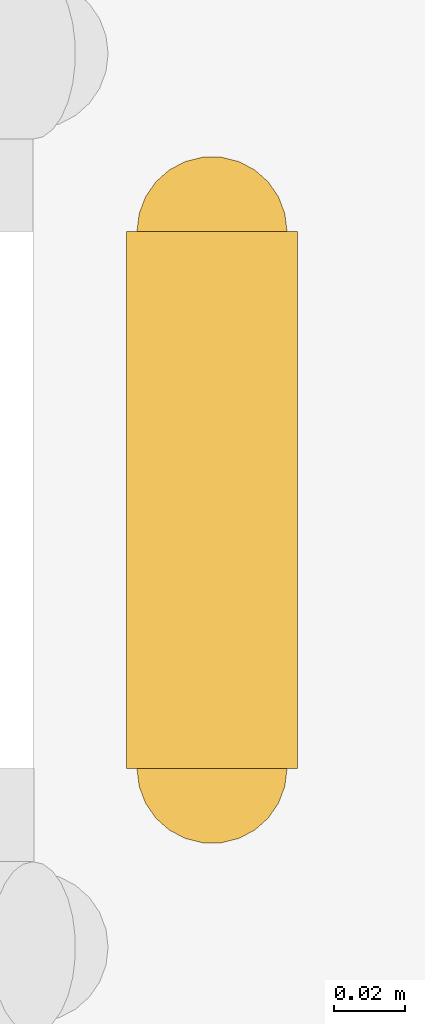
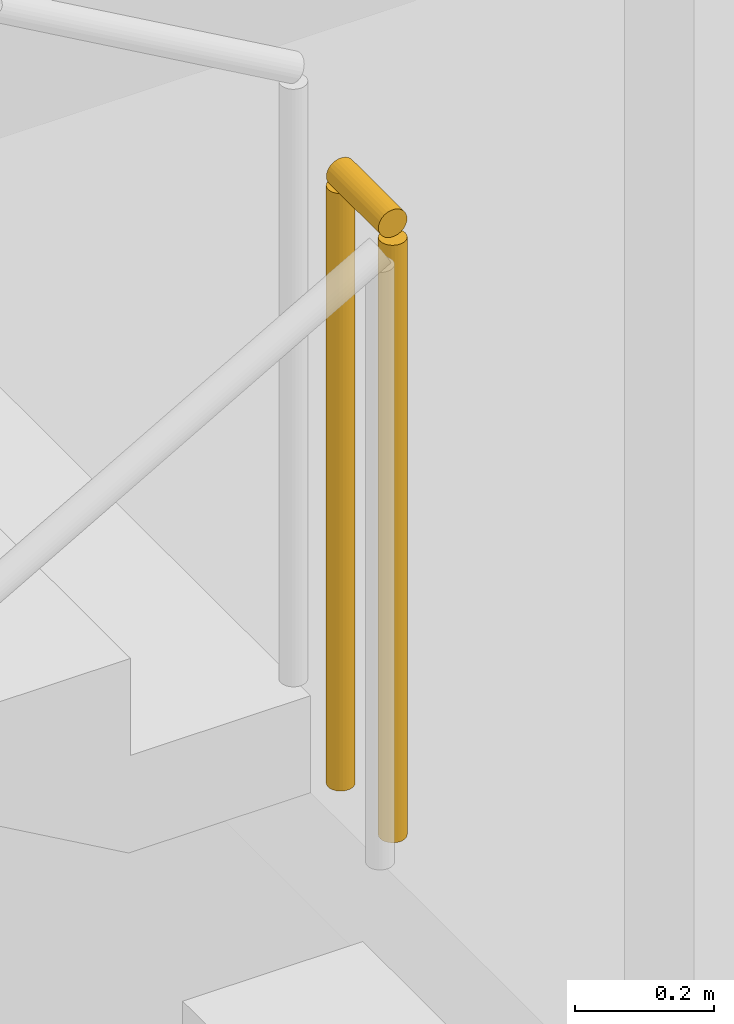
# One storey, part 30 of 31: 1 railing.
"""IFC4 building model written with IfcOpenShell, lengths in metres."""

from ifc_helpers import new_model, si_unit, direction, frame, origin, origin_2d, place, context, subcontext, project, spatial, circle, extrude, material, type_object, element, save


model = new_model("IFC4")

# Units and contexts
model_context = context("Model", 3, precision=1e-05, world=origin(), true_north=direction((0.0, 1.0)))
body_context = subcontext(model_context, "Body", "Model", "MODEL_VIEW")
ifc_project = project(units=[si_unit("LENGTHUNIT", "METRE"), si_unit("AREAUNIT", "SQUARE_METRE"), si_unit("VOLUMEUNIT", "CUBIC_METRE"), si_unit("PLANEANGLEUNIT", "RADIAN"), si_unit("MASSUNIT", "GRAM", prefix="KILO")], contexts=[model_context])

# Site, building, storey
site_placement = place(None, origin())
site = spatial("IfcSite", under=ifc_project, at=site_placement, CompositionType="ELEMENT")
building_placement = place(site_placement, origin())
building = spatial("IfcBuilding", under=site, at=building_placement, Name="Corbel Stack Research Tower", CompositionType="ELEMENT")
storey_placement = place(building_placement, frame((0.0, 0.0, 15.39990234375)))
storey = spatial("IfcBuildingStorey", under=building, at=storey_placement, Name="L03", CompositionType="ELEMENT", Elevation=15.39990234375)

# Railing
ifc_material = material(Name="Steel S235", Category="steel")
railing_type = type_object("IfcRailingType", Name="HR1 guard 1100", PredefinedType="GUARDRAIL", material=ifc_material)
railing_placement = place(storey_placement, frame((98.824951171875, 21.699951171875, 2.050048828125)))
element("IfcRailing", 1, at=railing_placement, inside=storey, type_object=railing_type, Name="L03 HS2 stair guard 2", PredefinedType="GUARDRAIL", context=body_context, shape_type="SweptSolid", body=[
    extrude(circle(Radius=0.02392578125, at=origin_2d()), frame((0.0, 0.0, 1.076171875), z_axis=(0.0, 1.0, 0.0), x_axis=(-1.0, 0.0, 0.0)), (0.0, 0.0, 1.0), 0.150146484375),
    extrude(circle(Radius=0.02099609375, at=origin_2d()), origin(), (0.0, 0.0, 1.0), 1.052001953125),
    extrude(circle(Radius=0.02099609375, at=origin_2d()), frame((0.0, 0.150146484375, 0.0)), (0.0, 0.0, 1.0), 1.052001953125),
])

save(model, "model.ifc")
